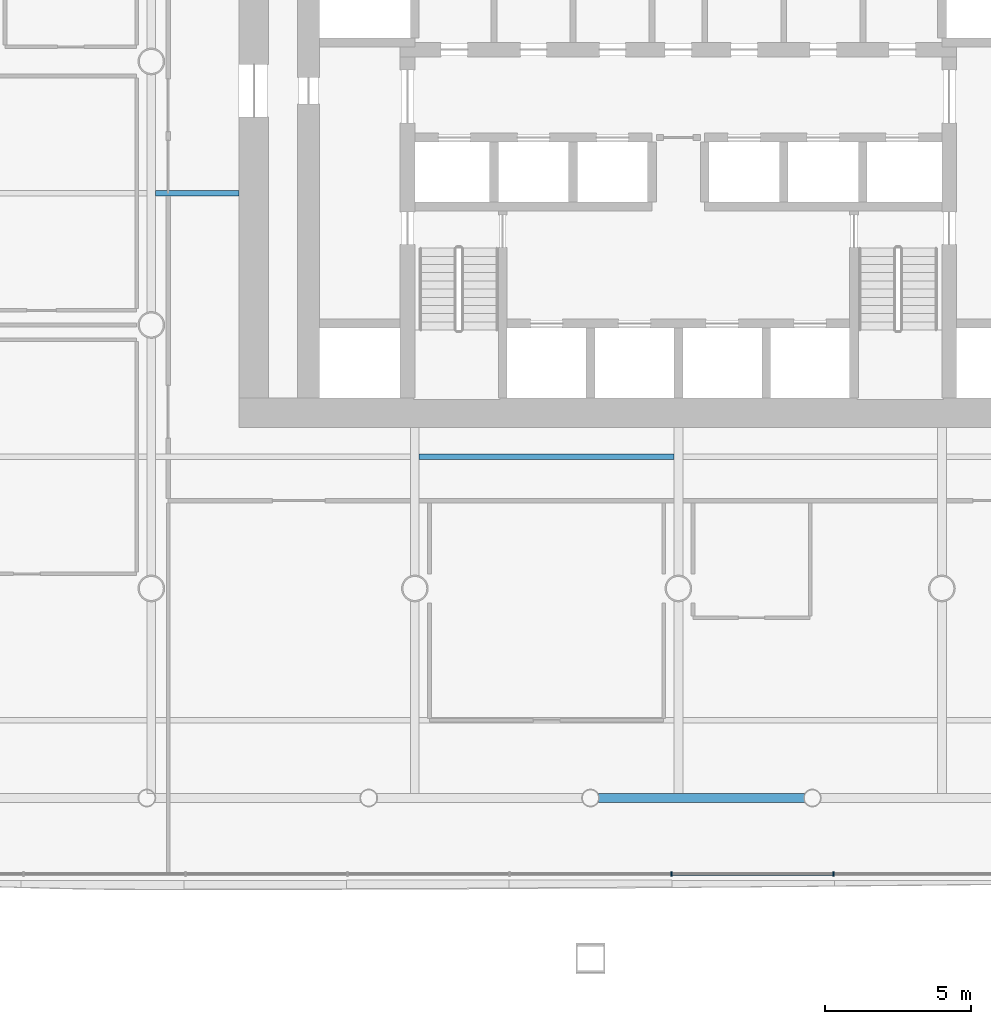
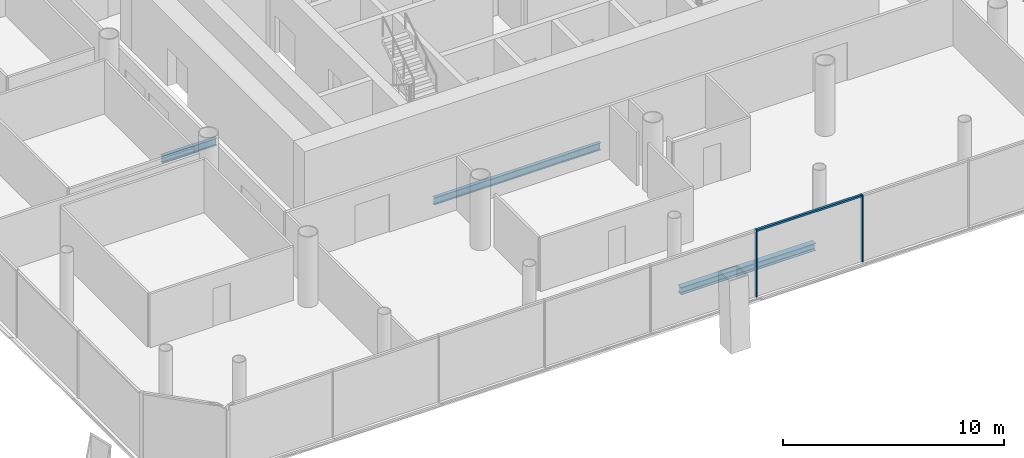
# One storey, part 5 of 23: 3 beams, 3 members, 1 element without a shape of its own.
"""IFC4 building model written with IfcOpenShell, lengths in metres."""

from ifc_helpers import new_model, si_unit, direction, frame, origin, origin_2d, place, context, subcontext, project, spatial, rectangle, i_section, extrude, material, material_profile, profile_set, type_object, element, aggregate, save


model = new_model("IFC4")

# Units and contexts
model_context = context("Model", 3, precision=1e-05, world=origin(), true_north=direction((0.0, 1.0)))
body_context = subcontext(model_context, "Body", "Model", "MODEL_VIEW")
ifc_project = project(units=[si_unit("LENGTHUNIT", "METRE"), si_unit("AREAUNIT", "SQUARE_METRE"), si_unit("VOLUMEUNIT", "CUBIC_METRE"), si_unit("PLANEANGLEUNIT", "RADIAN"), si_unit("MASSUNIT", "GRAM", prefix="KILO")], contexts=[model_context])

# Site, building, storey
site_placement = place(None, origin())
site = spatial("IfcSite", under=ifc_project, at=site_placement, CompositionType="ELEMENT")
building_placement = place(site_placement, origin())
building = spatial("IfcBuilding", under=site, at=building_placement, Name="Tskaro Facet Tower", CompositionType="ELEMENT")
storey_placement = place(building_placement, frame((0.0, 0.0, 14.699951171875)))
storey = spatial("IfcBuildingStorey", under=building, at=storey_placement, Name="L02", CompositionType="ELEMENT", Elevation=14.699951171875)

# Curtain wall, members
ifc_material_1 = material(Name="Bronze anodised aluminium 6063-T6", Category="aluminium")
curtain_wall_type = type_object("IfcCurtainWallType", Name="Bronze office curtain wall (FW1)", PredefinedType="NOTDEFINED", material=ifc_material_1)
curtain_wall_placement = place(storey_placement, origin())
curtain_wall = element("IfcCurtainWall", 1, at=curtain_wall_placement, inside=storey, type_object=curtain_wall_type, Name="FW1 south facet L02", PredefinedType="NOTDEFINED")
ifc_material_profile_1 = material_profile(ifc_material_1, rectangle(XDim=0.06005859375, YDim=0.159912109375, at=origin_2d()), Name="Mullion 60x160")
ifc_profile_set_1 = profile_set([ifc_material_profile_1], Name="Bronze anodised aluminium 6063-T6")
member_type_1 = type_object("IfcMemberType", Name="FW1 bronze mullion 60x160", PredefinedType="MULLION", material=ifc_profile_set_1)
member_1_placement = place(storey_placement, frame((-0.23388671875, -27.75, 0.0), z_axis=(0.0, 0.0, 1.0), x_axis=(1.0, 0.0, 0.0)))
member_1 = element("IfcMember", 2, at=member_1_placement, type_object=member_type_1, Name="FW1 south mullion 5", PredefinedType="MULLION", context=body_context, shape_type="SweptSolid", body=[
    extrude(rectangle(XDim=0.06005859375, YDim=0.159912109375, at=origin_2d()), origin(), (0.0, 0.0, 1.0), 3.699951171875),
])
member_2_placement = place(storey_placement, frame((5.298583984375, -27.75, 0.0), z_axis=(0.0, 0.0, 1.0), x_axis=(1.0, 0.0, 0.0)))
member_2 = element("IfcMember", 3, at=member_2_placement, type_object=member_type_1, Name="FW1 south mullion 6", PredefinedType="MULLION", context=body_context, shape_type="SweptSolid", body=[
    extrude(rectangle(XDim=0.06005859375, YDim=0.159912109375, at=origin_2d()), origin(), (0.0, 0.0, 1.0), 3.699951171875),
])
ifc_material_profile_2 = material_profile(ifc_material_1, rectangle(XDim=0.1201171875, YDim=0.10009765625, at=origin_2d()), Name="Transom 120x100")
ifc_profile_set_2 = profile_set([ifc_material_profile_2], Name="Bronze anodised aluminium 6063-T6")
member_type_2 = type_object("IfcMemberType", Name="FW1 bronze transom 120x100", PredefinedType="USERDEFINED", material=ifc_profile_set_2)
member_3_placement = place(storey_placement, frame((-0.203857421875, -27.75, 3.650146484375), z_axis=(1.0, 0.0, 0.0), x_axis=(0.0, 1.0, 0.0)))
member_3 = element("IfcMember", 4, at=member_3_placement, type_object=member_type_2, Name="FW1 south transom 6.1", ObjectType="TRANSOM", PredefinedType="USERDEFINED", context=body_context, shape_type="SweptSolid", body=[
    extrude(rectangle(XDim=0.1201171875, YDim=0.10009765625, at=origin_2d()), origin(), (0.0, 0.0, 1.0), 5.472412109375),
])
aggregate(curtain_wall, [member_1, member_2, member_3])

# Beams
ifc_material_2 = material(Name="Steel S355J2", Category="steel")
ifc_material_profile_3 = material_profile(ifc_material_2, i_section(OverallWidth=0.300048828125, OverallDepth=0.39990234375, WebThickness=0.013427734375, FlangeThickness=0.02392578125, FilletRadius=0.027099609375, at=origin_2d()), Name="HE 400 B")
ifc_profile_set_3 = profile_set([ifc_material_profile_3], Name="Steel S355J2")
beam_type_1 = type_object("IfcBeamType", Name="HE 400 B ring beam", PredefinedType="BEAM", material=ifc_profile_set_3)
beam_1_placement = place(storey_placement, frame((-2.72509765625, -25.156982421875, -0.33984375), z_axis=(1.0, 0.0, 0.0), x_axis=(0.0, 1.0, 0.0)))
element("IfcBeam", 5, at=beam_1_placement, inside=storey, type_object=beam_type_1, Name="HE 400 B EB4-1", PredefinedType="BEAM", context=body_context, shape_type="SweptSolid", body=[
    extrude(i_section(OverallWidth=0.300048828125, OverallDepth=0.39990234375, WebThickness=0.013427734375, FlangeThickness=0.02392578125, FilletRadius=0.027099609375, at=origin_2d()), origin(), (0.0, 0.0, 1.0), 7.026123046875),
])
ifc_material_profile_4 = material_profile(ifc_material_2, i_section(OverallWidth=0.179931640625, OverallDepth=0.39990234375, WebThickness=0.008544921875, FlangeThickness=0.013427734375, FilletRadius=0.02099609375, at=origin_2d()), Name="IPE 400")
ifc_profile_set_4 = profile_set([ifc_material_profile_4], Name="Steel S355J2")
beam_type_2 = type_object("IfcBeamType", Name="IPE 400 secondary beam", PredefinedType="BEAM", material=ifc_profile_set_4)
beam_2_placement = place(storey_placement, frame((-8.85009765625, -13.5, -0.33984375), z_axis=(1.0, 0.0, 0.0), x_axis=(0.0, 1.0, 0.0)))
element("IfcBeam", 6, at=beam_2_placement, inside=storey, type_object=beam_type_2, Name="IPE 400 SB2a-3-1", PredefinedType="BEAM", context=body_context, shape_type="SweptSolid", body=[
    extrude(i_section(OverallWidth=0.179931640625, OverallDepth=0.39990234375, WebThickness=0.008544921875, FlangeThickness=0.013427734375, FilletRadius=0.02099609375, at=origin_2d()), origin(), (0.0, 0.0, 1.0), 8.7001953125),
])
beam_3_placement = place(storey_placement, frame((-17.85009765625, -4.5, -0.33984375), z_axis=(1.0, 0.0, 0.0), x_axis=(0.0, 1.0, 0.0)))
element("IfcBeam", 7, at=beam_3_placement, inside=storey, type_object=beam_type_2, Name="IPE 400 SB3a-2-1", PredefinedType="BEAM", context=body_context, shape_type="SweptSolid", body=[
    extrude(i_section(OverallWidth=0.179931640625, OverallDepth=0.39990234375, WebThickness=0.008544921875, FlangeThickness=0.013427734375, FilletRadius=0.02099609375, at=origin_2d()), origin(), (0.0, 0.0, 1.0), 2.85009765625),
])

save(model, "model.ifc")
